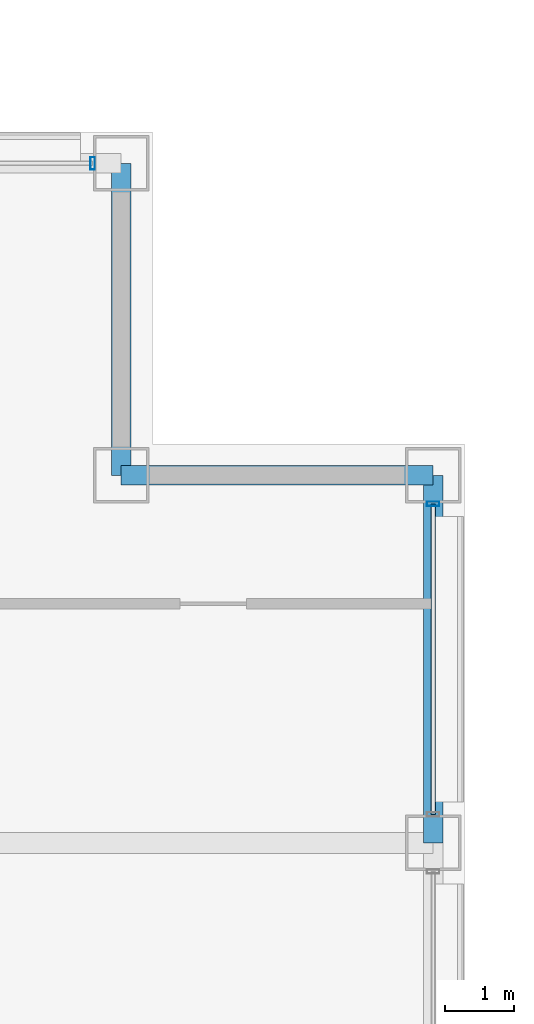
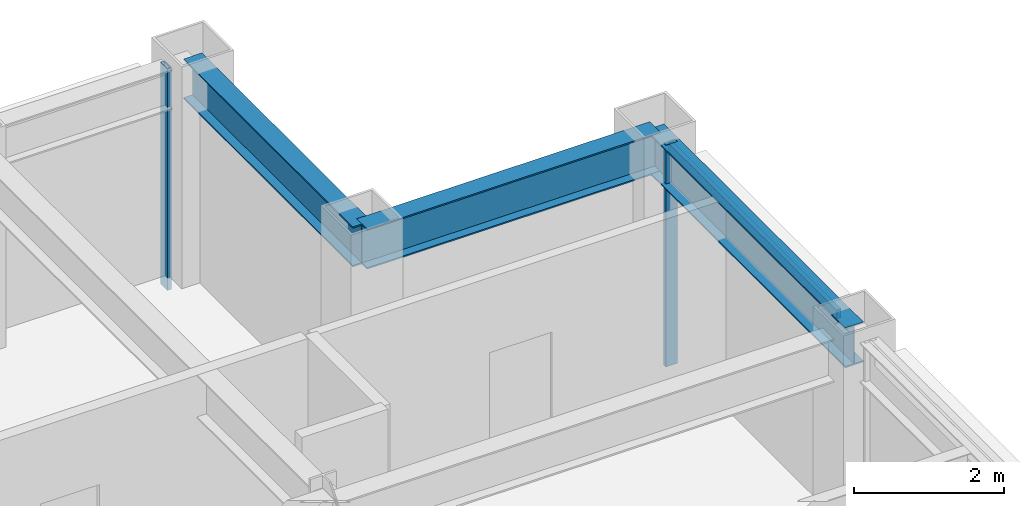
# One storey, part 22 of 29: 3 beams, 3 members, 2 elements without a shape of their own.
"""IFC4 building model written with IfcOpenShell, lengths in metres."""

from ifc_helpers import new_model, si_unit, direction, frame, origin, origin_2d, place, context, subcontext, project, spatial, hollow_rectangle, i_section, extrude, material, layer, layer_set, material_profile, profile_set, type_object, element, aggregate, save


model = new_model("IFC4")

# Units and contexts
model_context = context("Model", 3, precision=1e-05, world=origin(), true_north=direction((0.0, 1.0)))
body_context = subcontext(model_context, "Body", "Model", "MODEL_VIEW")
ifc_project = project(units=[si_unit("LENGTHUNIT", "METRE"), si_unit("AREAUNIT", "SQUARE_METRE"), si_unit("VOLUMEUNIT", "CUBIC_METRE"), si_unit("PLANEANGLEUNIT", "RADIAN"), si_unit("MASSUNIT", "GRAM", prefix="KILO")], contexts=[model_context])

# Site, building, storey
site_placement = place(None, origin())
site = spatial("IfcSite", under=ifc_project, at=site_placement, CompositionType="ELEMENT")
building_placement = place(site_placement, origin())
building = spatial("IfcBuilding", under=site, at=building_placement, Name="Brelmoor Portico Tower", CompositionType="ELEMENT")
storey_placement = place(building_placement, frame((0.0, 0.0, 138.60009765625)))
storey = spatial("IfcBuildingStorey", under=building, at=storey_placement, Name="L36", CompositionType="ELEMENT", Elevation=138.60009765625)

# Beams
ifc_material_1 = material(Name="Steel Q355B", Category="steel")
ifc_material_profile_1 = material_profile(ifc_material_1, i_section(OverallWidth=0.280029296875, OverallDepth=0.64990234375, WebThickness=0.012939453125, FlangeThickness=0.02197265625, at=origin_2d()), Name="HN 650x280x13x22")
ifc_profile_set_1 = profile_set([ifc_material_profile_1], Name="Steel Q355B")
beam_type = type_object("IfcBeamType", Name="BM-SP-650", PredefinedType="SPANDREL", material=ifc_profile_set_1)
for number, where, z_axis, x_axis, name in (
    (1, (18.050048828125, 15.050048828125, 3.074951171875), (1.0, 0.0, 0.0), (0.0, 1.0, 0.0), "L36 Perimeter Spandrel Beam SP-09"),
    (2, (18.050048828125, 15.050048828125, 3.074951171875), (0.0, 1.0, 0.0), (-1.0, 0.0, 0.0), "L36 Perimeter Spandrel Beam SP-21"),
):
    element("IfcBeam", number, at=place(storey_placement, frame(where, z_axis=z_axis, x_axis=x_axis)), inside=storey, type_object=beam_type, Name=name, PredefinedType="SPANDREL", context=body_context, shape_type="SweptSolid", body=[
        extrude(i_section(OverallWidth=0.280029296875, OverallDepth=0.64990234375, WebThickness=0.012939453125, FlangeThickness=0.02197265625, at=origin_2d()), origin(), (0.0, 0.0, 1.0), 4.5),
    ])
beam_placement = place(storey_placement, frame((22.550048828125, 9.75, 3.074951171875), z_axis=(0.0, 1.0, 0.0), x_axis=(-1.0, 0.0, 0.0)))
element("IfcBeam", 3, at=beam_placement, inside=storey, type_object=beam_type, Name="L36 Perimeter Spandrel Beam SP-24", PredefinedType="SPANDREL", context=body_context, shape_type="SweptSolid", body=[
    extrude(i_section(OverallWidth=0.280029296875, OverallDepth=0.64990234375, WebThickness=0.012939453125, FlangeThickness=0.02197265625, at=origin_2d()), origin(), (0.0, 0.0, 1.0), 5.300048828125),
])

# Curtain wall, member
ifc_material_2 = material(Name="Anodised Aluminium Alloy 6063-T6", Category="aluminium")
ifc_layer = layer(ifc_material_2, 0.179931640625)
ifc_layer_set = layer_set([ifc_layer], Name="Anodised Aluminium Alloy 6063-T6")
curtain_wall_type = type_object("IfcCurtainWallType", Name="CW-TOWER-Z2-XB", PredefinedType="NOTDEFINED", material=ifc_layer_set)
curtain_wall_1_placement = place(storey_placement, origin())
curtain_wall_1 = element("IfcCurtainWall", 4, at=curtain_wall_1_placement, inside=storey, type_object=curtain_wall_type, Name="L36 Curtain Wall CW-L36-2R-3", PredefinedType="NOTDEFINED")
ifc_material_profile_2 = material_profile(ifc_material_2, hollow_rectangle(XDim=0.06494140625, YDim=0.179931640625, WallThickness=0.00390625, at=origin_2d()), Name="ALU MULLION 65x180")
ifc_profile_set_2 = profile_set([ifc_material_profile_2], Name="Anodised Aluminium Alloy 6063-T6")
member_type_1 = type_object("IfcMemberType", Name="MB-CW-MULL-180", PredefinedType="MULLION", material=ifc_profile_set_2)
member_1_placement = place(storey_placement, frame((17.639892578125, 19.550048828125, -0.2001953125), z_axis=(0.0, 0.0, 1.0), x_axis=(1.0, 0.0, 0.0)))
member_1 = element("IfcMember", 5, at=member_1_placement, type_object=member_type_1, Name="CW-L36-2R-3 Mullion 01", PredefinedType="MULLION", context=body_context, shape_type="SweptSolid", body=[
    extrude(hollow_rectangle(XDim=0.06494140625, YDim=0.179931640625, WallThickness=0.00390625, at=origin_2d()), origin(), (0.0, 0.0, 1.0), 3.60009765625),
])
aggregate(curtain_wall_1, [member_1])

# Curtain wall, members
curtain_wall_2_placement = place(storey_placement, origin())
curtain_wall_2 = element("IfcCurtainWall", 6, at=curtain_wall_2_placement, inside=storey, type_object=curtain_wall_type, Name="L36 Curtain Wall CW-L36-4R-2", PredefinedType="NOTDEFINED")
member_2_placement = place(storey_placement, frame((22.550048828125, 14.639892578125, -0.2001953125), z_axis=(0.0, 0.0, 1.0), x_axis=(0.0, 1.0, 0.0)))
member_2 = element("IfcMember", 7, at=member_2_placement, type_object=member_type_1, Name="CW-L36-4R-2 Mullion 01", PredefinedType="MULLION", context=body_context, shape_type="SweptSolid", body=[
    extrude(hollow_rectangle(XDim=0.06494140625, YDim=0.179931640625, WallThickness=0.00390625, at=origin_2d()), origin(), (0.0, 0.0, 1.0), 3.60009765625),
])
ifc_material_profile_3 = material_profile(ifc_material_2, hollow_rectangle(XDim=0.06494140625, YDim=0.139892578125, WallThickness=0.00390625, at=origin_2d()), Name="ALU TRANSOM 65x140")
ifc_profile_set_3 = profile_set([ifc_material_profile_3], Name="Anodised Aluminium Alloy 6063-T6")
member_type_2 = type_object("IfcMemberType", Name="MB-CW-TRAN-140", PredefinedType="USERDEFINED", material=ifc_profile_set_3)
member_3_placement = place(storey_placement, frame((22.550048828125, 10.159912109375, 3.329833984375), z_axis=(0.0, 1.0, 0.0), x_axis=(-1.0, 0.0, 0.0)))
member_3 = element("IfcMember", 8, at=member_3_placement, type_object=member_type_2, Name="CW-L36-4R-2 Transom 1-00", ObjectType="TRANSOM", PredefinedType="USERDEFINED", context=body_context, shape_type="SweptSolid", body=[
    extrude(hollow_rectangle(XDim=0.06494140625, YDim=0.139892578125, WallThickness=0.00390625, at=origin_2d()), origin(), (0.0, 0.0, 1.0), 4.47998046875),
])
aggregate(curtain_wall_2, [member_2, member_3])

save(model, "model.ifc")
